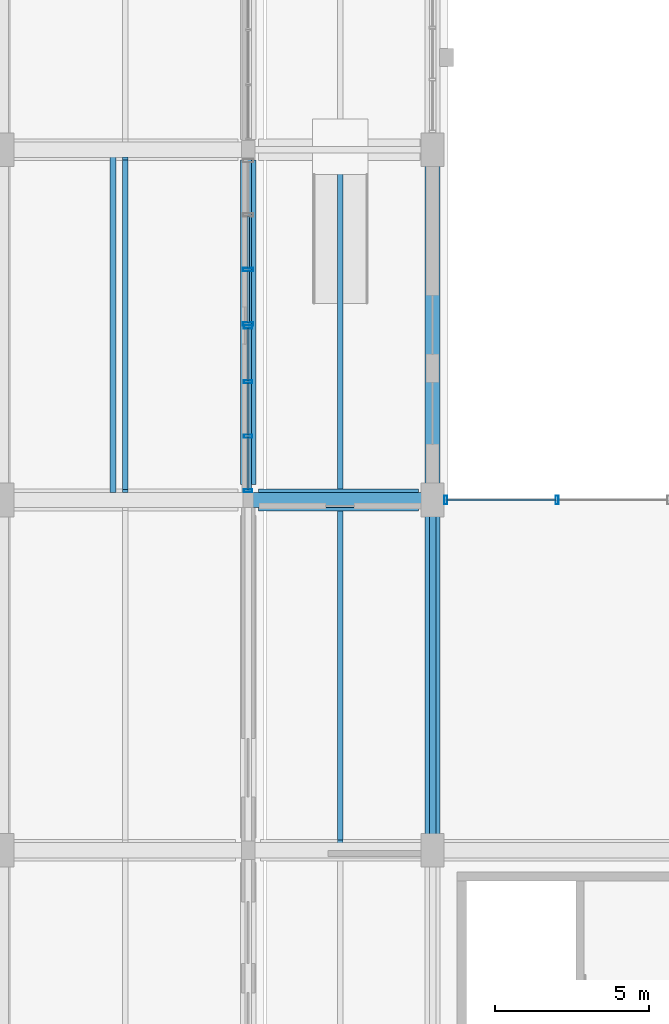
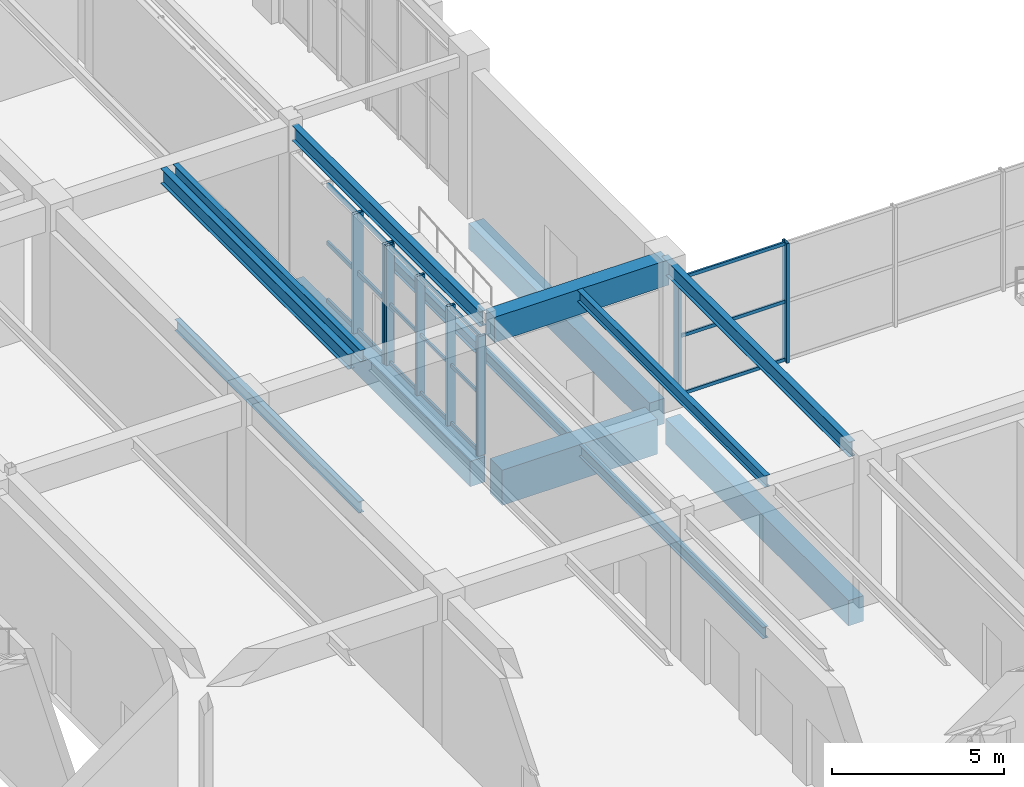
# One storey, part 25 of 113: 26 members, 13 beams, 3 elements without a shape of their own.
"""IFC4 building model written with IfcOpenShell, lengths in metres."""

from ifc_helpers import new_model, si_unit, direction, frame, origin, origin_2d, place, context, subcontext, project, spatial, rectangle, hollow_rectangle, i_section, extrude, material, layer, layer_set, material_profile, profile_set, type_object, element, aggregate, save


model = new_model("IFC4")

# Units and contexts
model_context = context("Model", 3, precision=1e-05, world=origin(), true_north=direction((0.0, 1.0)))
body_context = subcontext(model_context, "Body", "Model", "MODEL_VIEW")
ifc_project = project(units=[si_unit("LENGTHUNIT", "METRE"), si_unit("AREAUNIT", "SQUARE_METRE"), si_unit("VOLUMEUNIT", "CUBIC_METRE"), si_unit("PLANEANGLEUNIT", "RADIAN"), si_unit("MASSUNIT", "GRAM", prefix="KILO"), si_unit("POWERUNIT", "WATT"), si_unit("THERMODYNAMICTEMPERATUREUNIT", "KELVIN")], contexts=[model_context])

# Site, building, storey
site_placement = place(None, origin())
site = spatial("IfcSite", under=ifc_project, at=site_placement, CompositionType="ELEMENT")
building_placement = place(site_placement, origin())
building = spatial("IfcBuilding", under=site, at=building_placement, Name="Kelmbourne Parkland Aquatics Centre", CompositionType="ELEMENT")
storey_placement = place(building_placement, origin())
storey = spatial("IfcBuildingStorey", under=building, at=storey_placement, Name="L00", CompositionType="ELEMENT", Elevation=0.0)

# Beams
ifc_material_1 = material(Name="Concrete C40/50", Category="concrete")
ifc_material_profile_1 = material_profile(ifc_material_1, rectangle(XDim=0.5, YDim=0.89990234375, at=origin_2d()), Name="RC 500x900")
ifc_profile_set_1 = profile_set([ifc_material_profile_1], Name="Concrete C40/50")
beam_type_1 = type_object("IfcBeamType", Name="BM-G03", PredefinedType="BEAM", material=ifc_profile_set_1)
beam_1_placement = place(storey_placement, frame((40.0, 24.10498046875, -0.72998046875), z_axis=(0.0, 1.0, 0.0), x_axis=(-1.0, 0.0, 0.0)))
element("IfcBeam", 1, at=beam_1_placement, inside=storey, type_object=beam_type_1, Name="Primary girder 04-05 Grid F (L00)", PredefinedType="BEAM", context=body_context, shape_type="SweptSolid", body=[
    extrude(rectangle(XDim=0.5, YDim=0.89990234375, at=origin_2d()), origin(), (0.0, 0.0, 1.0), 10.56494140625),
])
beam_2_placement = place(storey_placement, frame((46.0, 12.47998046875, -0.72998046875), z_axis=(0.0, 1.0, 0.0), x_axis=(-1.0, 0.0, 0.0)))
element("IfcBeam", 2, at=beam_2_placement, inside=storey, type_object=beam_type_1, Name="Primary girder 03-04 Grid G (L00)", PredefinedType="BEAM", context=body_context, shape_type="SweptSolid", body=[
    extrude(rectangle(XDim=0.5, YDim=0.89990234375, at=origin_2d()), origin(), (0.0, 0.0, 1.0), 10.6650390625),
])
beam_3_placement = place(storey_placement, frame((46.0, 24.054931640625, -0.72998046875), z_axis=(0.0, 1.0, 0.0), x_axis=(-1.0, 0.0, 0.0)))
element("IfcBeam", 3, at=beam_3_placement, inside=storey, type_object=beam_type_1, Name="Primary girder 04-05 Grid G (L00)", PredefinedType="BEAM", context=body_context, shape_type="SweptSolid", body=[
    extrude(rectangle(XDim=0.5, YDim=0.89990234375, at=origin_2d()), origin(), (0.0, 0.0, 1.0), 10.5400390625),
])
beam_4_placement = place(storey_placement, frame((40.1298828125, 23.60009765625, 4.7099609375), z_axis=(1.0, 0.0, 0.0), x_axis=(0.0, 1.0, 0.0)))
element("IfcBeam", 4, at=beam_4_placement, inside=storey, type_object=beam_type_1, Name="Primary girder F-G Grid 04 (L01)", PredefinedType="BEAM", context=body_context, shape_type="SweptSolid", body=[
    extrude(rectangle(XDim=0.5, YDim=0.89990234375, at=origin_2d()), origin(), (0.0, 0.0, 1.0), 5.8701171875),
])
ifc_material_2 = material(Name="Concrete C50/60", Category="concrete")
ifc_material_profile_2 = material_profile(ifc_material_2, rectangle(XDim=0.699951171875, YDim=1.25, at=origin_2d()), Name="RC 700x1250")
ifc_profile_set_2 = profile_set([ifc_material_profile_2], Name="Concrete C50/60")
beam_type_2 = type_object("IfcBeamType", Name="BM-G08", PredefinedType="BEAM", material=ifc_profile_set_2)
beam_5_placement = place(storey_placement, frame((40.330078125, 23.60009765625, -0.905029296875), z_axis=(1.0, 0.0, 0.0), x_axis=(0.0, 1.0, 0.0)))
element("IfcBeam", 5, at=beam_5_placement, inside=storey, type_object=beam_type_2, Name="Primary girder F-G Grid 04 (L00)", PredefinedType="BEAM", context=body_context, shape_type="SweptSolid", body=[
    extrude(rectangle(XDim=0.699951171875, YDim=1.25, at=origin_2d()), origin(), (0.0, 0.0, 1.0), 5.21484375),
])
ifc_material_3 = material(Name="Structural steel AS/NZS 3679.1 Grade 300", Category="steel")
ifc_material_profile_3 = material_profile(ifc_material_3, i_section(OverallWidth=0.177978515625, OverallDepth=0.406005859375, WebThickness=0.0078125, FlangeThickness=0.0126953125, at=origin_2d()), Name="410UB59.7")
ifc_profile_set_3 = profile_set([ifc_material_profile_3], Name="Structural steel AS/NZS 3679.1 Grade 300")
beam_type_3 = type_object("IfcBeamType", Name="BM-J01", PredefinedType="JOIST", material=ifc_profile_set_3)
for number, where, z_axis, x_axis, name in (
    (6, (36.0, 23.94189453125, -0.48291015625), (0.0, 1.0, 0.0), (-1.0, 0.0, 0.0), "Secondary floor joist E-F/04-05 #1 (L00)"),
    (7, (43.0, 12.5419921875, -0.48291015625), (0.0, 1.0, 0.0), (-1.0, 0.0, 0.0), "Secondary floor joist F-G/03-04 #1 (L00)"),
    (8, (43.0, 23.94189453125, -0.48291015625), (0.0, 1.0, 0.0), (-1.0, 0.0, 0.0), "Secondary floor joist F-G/04-05 #1 (L00)"),
):
    element("IfcBeam", number, at=place(storey_placement, frame(where, z_axis=z_axis, x_axis=x_axis)), inside=storey, type_object=beam_type_3, Name=name, PredefinedType="JOIST", context=body_context, shape_type="SweptSolid", body=[
        extrude(i_section(OverallWidth=0.177978515625, OverallDepth=0.406005859375, WebThickness=0.0078125, FlangeThickness=0.0126953125, at=origin_2d()), origin(), (0.0, 0.0, 1.0), 10.716064453125),
    ])
for number, where, z_axis, x_axis, name in (
    (9, (36.0, 23.842041015625, 4.95703125), (0.0, 1.0, 0.0), (-1.0, 0.0, 0.0), "Secondary floor joist E-F/04-05 #1 (L01)"),
    (10, (43.0, 12.44189453125, 4.95703125), (0.0, 1.0, 0.0), (-1.0, 0.0, 0.0), "Secondary floor joist F-G/03-04 #1 (L01)"),
):
    element("IfcBeam", number, at=place(storey_placement, frame(where, z_axis=z_axis, x_axis=x_axis)), inside=storey, type_object=beam_type_3, Name=name, PredefinedType="JOIST", context=body_context, shape_type="SweptSolid", body=[
        extrude(i_section(OverallWidth=0.177978515625, OverallDepth=0.406005859375, WebThickness=0.0078125, FlangeThickness=0.0126953125, at=origin_2d()), origin(), (0.0, 0.0, 1.0), 10.916015625),
    ])
ifc_material_profile_4 = material_profile(ifc_material_3, i_section(OverallWidth=0.208984375, OverallDepth=0.532958984375, WebThickness=0.01025390625, FlangeThickness=0.015625, at=origin_2d()), Name="530UB92.4")
ifc_profile_set_4 = profile_set([ifc_material_profile_4], Name="Structural steel AS/NZS 3679.1 Grade 300")
beam_type_4 = type_object("IfcBeamType", Name="BM-S03", PredefinedType="BEAM", material=ifc_profile_set_4)
beam_6_placement = place(storey_placement, frame((35.60009765625, 23.842041015625, 4.8935546875), z_axis=(0.0, 1.0, 0.0), x_axis=(-1.0, 0.0, 0.0)))
element("IfcBeam", 11, at=beam_6_placement, inside=storey, type_object=beam_type_4, Name="Deck secondary trim beam 03", PredefinedType="BEAM", context=body_context, shape_type="SweptSolid", body=[
    extrude(i_section(OverallWidth=0.208984375, OverallDepth=0.532958984375, WebThickness=0.01025390625, FlangeThickness=0.015625, at=origin_2d()), origin(), (0.0, 0.0, 1.0), 10.916015625),
])
ifc_material_profile_5 = material_profile(ifc_material_3, i_section(OverallWidth=0.208984375, OverallDepth=0.532958984375, WebThickness=0.01025390625, FlangeThickness=0.015625, at=origin_2d()), Name="530UB92.4")
ifc_profile_set_5 = profile_set([ifc_material_profile_5], Name="Structural steel AS/NZS 3679.1 Grade 300")
beam_type_5 = type_object("IfcBeamType", Name="BM-SP02", PredefinedType="SPANDREL", material=ifc_profile_set_5)
beam_7_placement = place(storey_placement, frame((40.0, 23.804931640625, 4.8935546875), z_axis=(0.0, 1.0, 0.0), x_axis=(-1.0, 0.0, 0.0)))
element("IfcBeam", 12, at=beam_7_placement, inside=storey, type_object=beam_type_5, Name="Perimeter spandrel 04-05 Grid F (L01)", PredefinedType="SPANDREL", context=body_context, shape_type="SweptSolid", body=[
    extrude(i_section(OverallWidth=0.208984375, OverallDepth=0.532958984375, WebThickness=0.01025390625, FlangeThickness=0.015625, at=origin_2d()), origin(), (0.0, 0.0, 1.0), 10.940185546875),
])
beam_8_placement = place(storey_placement, frame((46.0, 12.705078125, 4.8935546875), z_axis=(0.0, 1.0, 0.0), x_axis=(-1.0, 0.0, 0.0)))
element("IfcBeam", 13, at=beam_8_placement, inside=storey, type_object=beam_type_5, Name="Perimeter spandrel 03-04 Grid G (L01)", PredefinedType="SPANDREL", context=body_context, shape_type="SweptSolid", body=[
    extrude(i_section(OverallWidth=0.208984375, OverallDepth=0.532958984375, WebThickness=0.01025390625, FlangeThickness=0.015625, at=origin_2d()), origin(), (0.0, 0.0, 1.0), 10.89501953125),
])

# Curtain wall, members
ifc_material_4 = material(Name="Thermally broken anodised aluminium framing", Category="aluminium")
ifc_layer_1 = layer(ifc_material_4, 0.179931640625)
ifc_layer_set_1 = layer_set([ifc_layer_1], Name="Thermally broken anodised aluminium framing")
curtain_wall_type_1 = type_object("IfcCurtainWallType", Name="CW-24", PredefinedType="NOTDEFINED", material=ifc_layer_set_1)
curtain_wall_1_placement = place(storey_placement, origin())
curtain_wall_1 = element("IfcCurtainWall", 14, at=curtain_wall_1_placement, inside=storey, type_object=curtain_wall_type_1, Name="Facade curtain wall CW-L00-168", PredefinedType="NOTDEFINED")
ifc_material_profile_6 = material_profile(ifc_material_4, hollow_rectangle(XDim=0.094970703125, YDim=0.280029296875, WallThickness=0.005615234375, at=origin_2d()), Name="CW-M 95x280")
ifc_profile_set_6 = profile_set([ifc_material_profile_6], Name="Thermally broken anodised aluminium framing")
member_type_1 = type_object("IfcMemberType", Name="MB-MUL-4", PredefinedType="MULLION", material=ifc_profile_set_6)
member_1_placement = place(storey_placement, frame((46.424560546875, 23.60009765625, 0.0), z_axis=(0.0, 0.0, 1.0), x_axis=(1.0, 0.0, 0.0)))
member_1 = element("IfcMember", 15, at=member_1_placement, type_object=member_type_1, Name="CW-L00-168 mullion 0", PredefinedType="MULLION", context=body_context, shape_type="SweptSolid", body=[
    extrude(hollow_rectangle(XDim=0.094970703125, YDim=0.280029296875, WallThickness=0.005615234375, at=origin_2d()), origin(), (0.0, 0.0, 1.0), 4.2451171875),
])
member_2_placement = place(storey_placement, frame((50.056396484375, 23.60009765625, 0.0), z_axis=(0.0, 0.0, 1.0), x_axis=(1.0, 0.0, 0.0)))
member_2 = element("IfcMember", 16, at=member_2_placement, type_object=member_type_1, Name="CW-L00-168 mullion 1", PredefinedType="MULLION", context=body_context, shape_type="SweptSolid", body=[
    extrude(hollow_rectangle(XDim=0.094970703125, YDim=0.280029296875, WallThickness=0.005615234375, at=origin_2d()), origin(), (0.0, 0.0, 1.0), 4.2451171875),
])

ifc_layer_2 = layer(ifc_material_4, 0.179931640625)
ifc_layer_set_2 = layer_set([ifc_layer_2], Name="Thermally broken anodised aluminium framing")
curtain_wall_type_2 = type_object("IfcCurtainWallType", Name="CW-21", PredefinedType="NOTDEFINED", material=ifc_layer_set_2)
curtain_wall_2_placement = place(storey_placement, origin())
curtain_wall_2 = element("IfcCurtainWall", 17, at=curtain_wall_2_placement, inside=storey, type_object=curtain_wall_type_2, Name="Facade curtain wall CW-L00-213", PredefinedType="NOTDEFINED")
member_3_placement = place(storey_placement, frame((40.0, 23.8994140625, 0.0), z_axis=(0.0, 0.0, 1.0), x_axis=(0.0, 1.0, 0.0)))
member_3 = element("IfcMember", 18, at=member_3_placement, type_object=member_type_1, Name="CW-L00-213 mullion 0", PredefinedType="MULLION", context=body_context, shape_type="SweptSolid", body=[
    extrude(hollow_rectangle(XDim=0.094970703125, YDim=0.280029296875, WallThickness=0.005615234375, at=origin_2d()), origin(), (0.0, 0.0, 1.0), 4.2451171875),
])
member_4_placement = place(storey_placement, frame((40.0, 25.675537109375, 0.0), z_axis=(0.0, 0.0, 1.0), x_axis=(0.0, 1.0, 0.0)))
member_4 = element("IfcMember", 19, at=member_4_placement, type_object=member_type_1, Name="CW-L00-213 mullion 1", PredefinedType="MULLION", context=body_context, shape_type="SweptSolid", body=[
    extrude(hollow_rectangle(XDim=0.094970703125, YDim=0.280029296875, WallThickness=0.005615234375, at=origin_2d()), origin(), (0.0, 0.0, 1.0), 4.2451171875),
])
member_5_placement = place(storey_placement, frame((40.0, 27.451416015625, 0.0), z_axis=(0.0, 0.0, 1.0), x_axis=(0.0, 1.0, 0.0)))
member_5 = element("IfcMember", 20, at=member_5_placement, type_object=member_type_1, Name="CW-L00-213 mullion 2", PredefinedType="MULLION", context=body_context, shape_type="SweptSolid", body=[
    extrude(hollow_rectangle(XDim=0.094970703125, YDim=0.280029296875, WallThickness=0.005615234375, at=origin_2d()), origin(), (0.0, 0.0, 1.0), 4.2451171875),
])
member_6_placement = place(storey_placement, frame((40.0, 29.2275390625, 0.0), z_axis=(0.0, 0.0, 1.0), x_axis=(0.0, 1.0, 0.0)))
member_6 = element("IfcMember", 21, at=member_6_placement, type_object=member_type_1, Name="CW-L00-213 mullion 3", PredefinedType="MULLION", context=body_context, shape_type="SweptSolid", body=[
    extrude(hollow_rectangle(XDim=0.094970703125, YDim=0.280029296875, WallThickness=0.005615234375, at=origin_2d()), origin(), (0.0, 0.0, 1.0), 4.2451171875),
])

ifc_layer_3 = layer(ifc_material_4, 0.179931640625)
ifc_layer_set_3 = layer_set([ifc_layer_3], Name="Thermally broken anodised aluminium framing")
curtain_wall_type_3 = type_object("IfcCurtainWallType", Name="CW-22", PredefinedType="NOTDEFINED", material=ifc_layer_set_3)
curtain_wall_3_placement = place(storey_placement, origin())
curtain_wall_3 = element("IfcCurtainWall", 22, at=curtain_wall_3_placement, inside=storey, type_object=curtain_wall_type_3, Name="Facade curtain wall CW-L00-214", PredefinedType="NOTDEFINED")
ifc_material_profile_7 = material_profile(ifc_material_4, hollow_rectangle(XDim=0.10498046875, YDim=0.340087890625, WallThickness=0.006103515625, at=origin_2d()), Name="CW-M 105x340")
ifc_profile_set_7 = profile_set([ifc_material_profile_7], Name="Thermally broken anodised aluminium framing")
member_type_2 = type_object("IfcMemberType", Name="MB-MUL-5", PredefinedType="MULLION", material=ifc_profile_set_7)
member_7_placement = place(storey_placement, frame((40.0, 29.327392578125, 0.0), z_axis=(0.0, 0.0, 1.0), x_axis=(0.0, 1.0, 0.0)))
member_7 = element("IfcMember", 23, at=member_7_placement, type_object=member_type_2, Name="CW-L00-214 mullion 0", PredefinedType="MULLION", context=body_context, shape_type="SweptSolid", body=[
    extrude(hollow_rectangle(XDim=0.10498046875, YDim=0.340087890625, WallThickness=0.006103515625, at=origin_2d()), origin(), (0.0, 0.0, 1.0), 4.2451171875),
])
member_8_placement = place(storey_placement, frame((40.0, 31.10009765625, 0.0), z_axis=(0.0, 0.0, 1.0), x_axis=(0.0, 1.0, 0.0)))
member_8 = element("IfcMember", 24, at=member_8_placement, type_object=member_type_2, Name="CW-L00-214 mullion 1", PredefinedType="MULLION", context=body_context, shape_type="SweptSolid", body=[
    extrude(hollow_rectangle(XDim=0.10498046875, YDim=0.340087890625, WallThickness=0.006103515625, at=origin_2d()), origin(), (0.0, 0.0, 1.0), 4.2451171875),
])

# Member
ifc_material_profile_8 = material_profile(ifc_material_4, hollow_rectangle(XDim=0.06494140625, YDim=0.1201171875, WallThickness=0.00341796875, at=origin_2d()), Name="CW-T 65x120")
ifc_profile_set_8 = profile_set([ifc_material_profile_8], Name="Thermally broken anodised aluminium framing")
member_type_3 = type_object("IfcMemberType", Name="MB-TRN-1", PredefinedType="USERDEFINED", material=ifc_profile_set_8)
member_9_placement = place(storey_placement, frame((46.468017578125, 23.60009765625, 0.06298828125), z_axis=(1.0, 0.0, 0.0), x_axis=(0.0, 1.0, 0.0)))
member_9 = element("IfcMember", 25, at=member_9_placement, type_object=member_type_3, Name="CW-L00-168 transom 0-0", ObjectType="TRANSOM", PredefinedType="USERDEFINED", context=body_context, shape_type="SweptSolid", body=[
    extrude(hollow_rectangle(XDim=0.06494140625, YDim=0.1201171875, WallThickness=0.00341796875, at=origin_2d()), origin(), (0.0, 0.0, 1.0), 3.544921875),
])

member_10_placement = place(storey_placement, frame((46.468017578125, 23.60009765625, 2.12255859375), z_axis=(1.0, 0.0, 0.0), x_axis=(0.0, 1.0, 0.0)))
member_10 = element("IfcMember", 26, at=member_10_placement, type_object=member_type_3, Name="CW-L00-168 transom 1-0", ObjectType="TRANSOM", PredefinedType="USERDEFINED", context=body_context, shape_type="SweptSolid", body=[
    extrude(hollow_rectangle(XDim=0.06494140625, YDim=0.1201171875, WallThickness=0.00341796875, at=origin_2d()), origin(), (0.0, 0.0, 1.0), 3.544921875),
])

member_11_placement = place(storey_placement, frame((46.468017578125, 23.60009765625, 4.181884765625), z_axis=(1.0, 0.0, 0.0), x_axis=(0.0, 1.0, 0.0)))
member_11 = element("IfcMember", 27, at=member_11_placement, type_object=member_type_3, Name="CW-L00-168 transom 2-0", ObjectType="TRANSOM", PredefinedType="USERDEFINED", context=body_context, shape_type="SweptSolid", body=[
    extrude(hollow_rectangle(XDim=0.06494140625, YDim=0.1201171875, WallThickness=0.00341796875, at=origin_2d()), origin(), (0.0, 0.0, 1.0), 3.544921875),
])

aggregate(curtain_wall_1, [member_1, member_2, member_9, member_10, member_11])

member_12_placement = place(storey_placement, frame((40.0, 23.943115234375, 0.06298828125), z_axis=(0.0, 1.0, 0.0), x_axis=(-1.0, 0.0, 0.0)))
member_12 = element("IfcMember", 28, at=member_12_placement, type_object=member_type_3, Name="CW-L00-213 transom 0-0", ObjectType="TRANSOM", PredefinedType="USERDEFINED", context=body_context, shape_type="SweptSolid", body=[
    extrude(hollow_rectangle(XDim=0.06494140625, YDim=0.1201171875, WallThickness=0.00341796875, at=origin_2d()), origin(), (0.0, 0.0, 1.0), 1.68896484375),
])

member_13_placement = place(storey_placement, frame((40.0, 25.718994140625, 0.06298828125), z_axis=(0.0, 1.0, 0.0), x_axis=(-1.0, 0.0, 0.0)))
member_13 = element("IfcMember", 29, at=member_13_placement, type_object=member_type_3, Name="CW-L00-213 transom 0-1", ObjectType="TRANSOM", PredefinedType="USERDEFINED", context=body_context, shape_type="SweptSolid", body=[
    extrude(hollow_rectangle(XDim=0.06494140625, YDim=0.1201171875, WallThickness=0.00341796875, at=origin_2d()), origin(), (0.0, 0.0, 1.0), 1.68896484375),
])

member_14_placement = place(storey_placement, frame((40.0, 27.4951171875, 0.06298828125), z_axis=(0.0, 1.0, 0.0), x_axis=(-1.0, 0.0, 0.0)))
member_14 = element("IfcMember", 30, at=member_14_placement, type_object=member_type_3, Name="CW-L00-213 transom 0-2", ObjectType="TRANSOM", PredefinedType="USERDEFINED", context=body_context, shape_type="SweptSolid", body=[
    extrude(hollow_rectangle(XDim=0.06494140625, YDim=0.1201171875, WallThickness=0.00341796875, at=origin_2d()), origin(), (0.0, 0.0, 1.0), 1.68896484375),
])

member_15_placement = place(storey_placement, frame((40.0, 23.943115234375, 2.12255859375), z_axis=(0.0, 1.0, 0.0), x_axis=(-1.0, 0.0, 0.0)))
member_15 = element("IfcMember", 31, at=member_15_placement, type_object=member_type_3, Name="CW-L00-213 transom 1-0", ObjectType="TRANSOM", PredefinedType="USERDEFINED", context=body_context, shape_type="SweptSolid", body=[
    extrude(hollow_rectangle(XDim=0.06494140625, YDim=0.1201171875, WallThickness=0.00341796875, at=origin_2d()), origin(), (0.0, 0.0, 1.0), 1.68896484375),
])

member_16_placement = place(storey_placement, frame((40.0, 25.718994140625, 2.12255859375), z_axis=(0.0, 1.0, 0.0), x_axis=(-1.0, 0.0, 0.0)))
member_16 = element("IfcMember", 32, at=member_16_placement, type_object=member_type_3, Name="CW-L00-213 transom 1-1", ObjectType="TRANSOM", PredefinedType="USERDEFINED", context=body_context, shape_type="SweptSolid", body=[
    extrude(hollow_rectangle(XDim=0.06494140625, YDim=0.1201171875, WallThickness=0.00341796875, at=origin_2d()), origin(), (0.0, 0.0, 1.0), 1.68896484375),
])

member_17_placement = place(storey_placement, frame((40.0, 27.4951171875, 2.12255859375), z_axis=(0.0, 1.0, 0.0), x_axis=(-1.0, 0.0, 0.0)))
member_17 = element("IfcMember", 33, at=member_17_placement, type_object=member_type_3, Name="CW-L00-213 transom 1-2", ObjectType="TRANSOM", PredefinedType="USERDEFINED", context=body_context, shape_type="SweptSolid", body=[
    extrude(hollow_rectangle(XDim=0.06494140625, YDim=0.1201171875, WallThickness=0.00341796875, at=origin_2d()), origin(), (0.0, 0.0, 1.0), 1.68896484375),
])

member_18_placement = place(storey_placement, frame((40.0, 23.943115234375, 4.181884765625), z_axis=(0.0, 1.0, 0.0), x_axis=(-1.0, 0.0, 0.0)))
member_18 = element("IfcMember", 34, at=member_18_placement, type_object=member_type_3, Name="CW-L00-213 transom 2-0", ObjectType="TRANSOM", PredefinedType="USERDEFINED", context=body_context, shape_type="SweptSolid", body=[
    extrude(hollow_rectangle(XDim=0.06494140625, YDim=0.1201171875, WallThickness=0.00341796875, at=origin_2d()), origin(), (0.0, 0.0, 1.0), 1.68896484375),
])

member_19_placement = place(storey_placement, frame((40.0, 25.718994140625, 4.181884765625), z_axis=(0.0, 1.0, 0.0), x_axis=(-1.0, 0.0, 0.0)))
member_19 = element("IfcMember", 35, at=member_19_placement, type_object=member_type_3, Name="CW-L00-213 transom 2-1", ObjectType="TRANSOM", PredefinedType="USERDEFINED", context=body_context, shape_type="SweptSolid", body=[
    extrude(hollow_rectangle(XDim=0.06494140625, YDim=0.1201171875, WallThickness=0.00341796875, at=origin_2d()), origin(), (0.0, 0.0, 1.0), 1.68896484375),
])

member_20_placement = place(storey_placement, frame((40.0, 27.4951171875, 4.181884765625), z_axis=(0.0, 1.0, 0.0), x_axis=(-1.0, 0.0, 0.0)))
member_20 = element("IfcMember", 36, at=member_20_placement, type_object=member_type_3, Name="CW-L00-213 transom 2-2", ObjectType="TRANSOM", PredefinedType="USERDEFINED", context=body_context, shape_type="SweptSolid", body=[
    extrude(hollow_rectangle(XDim=0.06494140625, YDim=0.1201171875, WallThickness=0.00341796875, at=origin_2d()), origin(), (0.0, 0.0, 1.0), 1.68896484375),
])

aggregate(curtain_wall_2, [member_3, member_4, member_5, member_6, member_12, member_13, member_14, member_15, member_16, member_17, member_18, member_19, member_20])

ifc_material_profile_9 = material_profile(ifc_material_4, hollow_rectangle(XDim=0.074951171875, YDim=0.14990234375, WallThickness=0.00390625, at=origin_2d()), Name="CW-T 75x150")
ifc_profile_set_9 = profile_set([ifc_material_profile_9], Name="Thermally broken anodised aluminium framing")
member_type_4 = type_object("IfcMemberType", Name="MB-TRN-2", PredefinedType="USERDEFINED", material=ifc_profile_set_9)
member_21_placement = place(storey_placement, frame((40.0, 29.3759765625, 0.077880859375), z_axis=(0.0, 1.0, 0.0), x_axis=(-1.0, 0.0, 0.0)))
member_21 = element("IfcMember", 37, at=member_21_placement, type_object=member_type_4, Name="CW-L00-214 transom 0-0", ObjectType="TRANSOM", PredefinedType="USERDEFINED", context=body_context, shape_type="SweptSolid", body=[
    extrude(hollow_rectangle(XDim=0.074951171875, YDim=0.14990234375, WallThickness=0.00390625, at=origin_2d()), origin(), (0.0, 0.0, 1.0), 1.67578125),
])

member_22_placement = place(storey_placement, frame((40.0, 31.148681640625, 0.077880859375), z_axis=(0.0, 1.0, 0.0), x_axis=(-1.0, 0.0, 0.0)))
member_22 = element("IfcMember", 38, at=member_22_placement, type_object=member_type_4, Name="CW-L00-214 transom 0-1", ObjectType="TRANSOM", PredefinedType="USERDEFINED", context=body_context, shape_type="SweptSolid", body=[
    extrude(hollow_rectangle(XDim=0.074951171875, YDim=0.14990234375, WallThickness=0.00390625, at=origin_2d()), origin(), (0.0, 0.0, 1.0), 1.675537109375),
])

member_23_placement = place(storey_placement, frame((40.0, 29.3759765625, 2.12255859375), z_axis=(0.0, 1.0, 0.0), x_axis=(-1.0, 0.0, 0.0)))
member_23 = element("IfcMember", 39, at=member_23_placement, type_object=member_type_4, Name="CW-L00-214 transom 1-0", ObjectType="TRANSOM", PredefinedType="USERDEFINED", context=body_context, shape_type="SweptSolid", body=[
    extrude(hollow_rectangle(XDim=0.074951171875, YDim=0.14990234375, WallThickness=0.00390625, at=origin_2d()), origin(), (0.0, 0.0, 1.0), 1.67578125),
])

member_24_placement = place(storey_placement, frame((40.0, 31.148681640625, 2.12255859375), z_axis=(0.0, 1.0, 0.0), x_axis=(-1.0, 0.0, 0.0)))
member_24 = element("IfcMember", 40, at=member_24_placement, type_object=member_type_4, Name="CW-L00-214 transom 1-1", ObjectType="TRANSOM", PredefinedType="USERDEFINED", context=body_context, shape_type="SweptSolid", body=[
    extrude(hollow_rectangle(XDim=0.074951171875, YDim=0.14990234375, WallThickness=0.00390625, at=origin_2d()), origin(), (0.0, 0.0, 1.0), 1.675537109375),
])

member_25_placement = place(storey_placement, frame((40.0, 29.3759765625, 4.1669921875), z_axis=(0.0, 1.0, 0.0), x_axis=(-1.0, 0.0, 0.0)))
member_25 = element("IfcMember", 41, at=member_25_placement, type_object=member_type_4, Name="CW-L00-214 transom 2-0", ObjectType="TRANSOM", PredefinedType="USERDEFINED", context=body_context, shape_type="SweptSolid", body=[
    extrude(hollow_rectangle(XDim=0.074951171875, YDim=0.14990234375, WallThickness=0.00390625, at=origin_2d()), origin(), (0.0, 0.0, 1.0), 1.67578125),
])

member_26_placement = place(storey_placement, frame((40.0, 31.148681640625, 4.1669921875), z_axis=(0.0, 1.0, 0.0), x_axis=(-1.0, 0.0, 0.0)))
member_26 = element("IfcMember", 42, at=member_26_placement, type_object=member_type_4, Name="CW-L00-214 transom 2-1", ObjectType="TRANSOM", PredefinedType="USERDEFINED", context=body_context, shape_type="SweptSolid", body=[
    extrude(hollow_rectangle(XDim=0.074951171875, YDim=0.14990234375, WallThickness=0.00390625, at=origin_2d()), origin(), (0.0, 0.0, 1.0), 1.675537109375),
])

aggregate(curtain_wall_3, [member_7, member_8, member_21, member_22, member_23, member_24, member_25, member_26])

save(model, "model.ifc")
